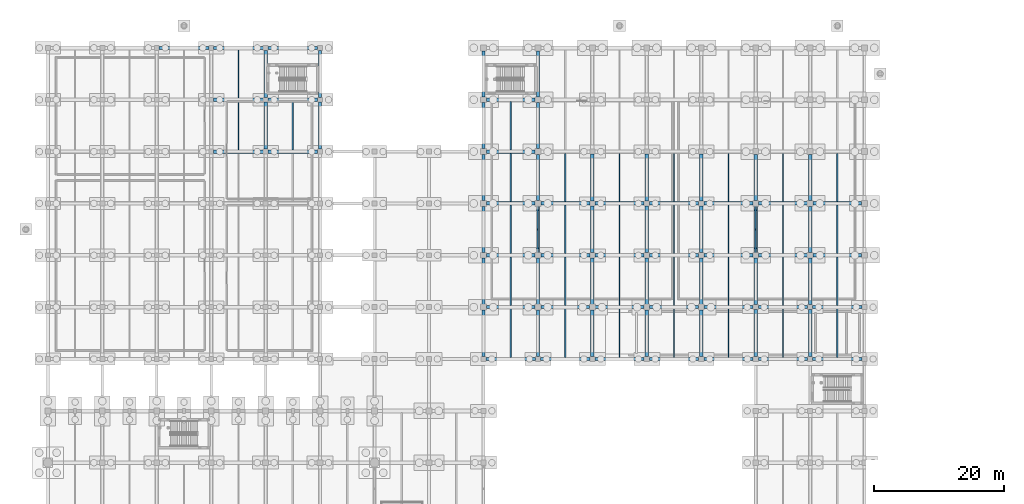
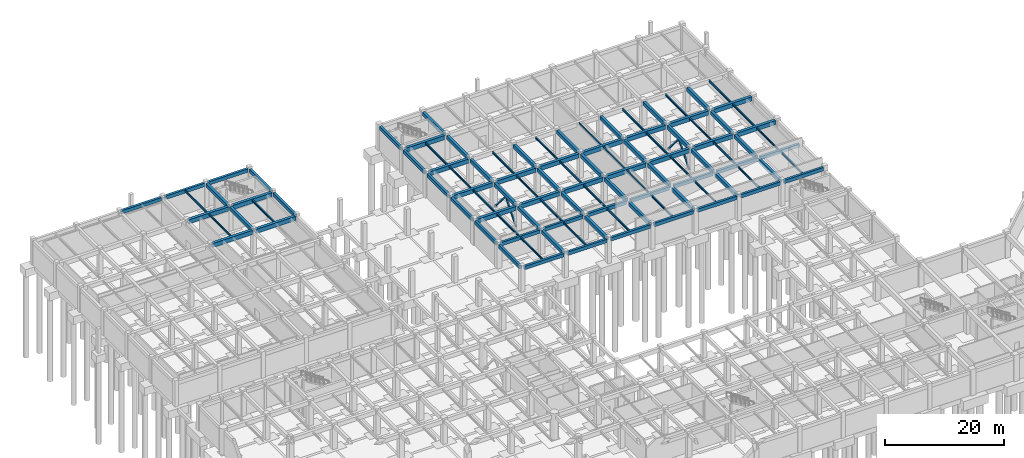
# One storey, part 33 of 56: 105 beams, 4 members.
"""IFC4 building model written with IfcOpenShell, lengths in metres."""

from ifc_helpers import new_model, si_unit, direction, frame, origin, origin_2d, place, context, subcontext, project, spatial, rectangle, hollow_rectangle, i_section, extrude, material, material_profile, profile_set, type_object, element, save


model = new_model("IFC4")

# Units and contexts
model_context = context("Model", 3, precision=1e-05, world=origin(), true_north=direction((0.0, 1.0)))
body_context = subcontext(model_context, "Body", "Model", "MODEL_VIEW")
ifc_project = project(units=[si_unit("LENGTHUNIT", "METRE"), si_unit("AREAUNIT", "SQUARE_METRE"), si_unit("VOLUMEUNIT", "CUBIC_METRE"), si_unit("PLANEANGLEUNIT", "RADIAN"), si_unit("MASSUNIT", "GRAM", prefix="KILO")], contexts=[model_context])

# Site, building, storey
site_placement = place(None, origin())
site = spatial("IfcSite", under=ifc_project, at=site_placement, CompositionType="ELEMENT")
building_placement = place(site_placement, origin())
building = spatial("IfcBuilding", under=site, at=building_placement, Name="Naruveol Harbour Congress Hotel", CompositionType="ELEMENT")
storey_placement = place(building_placement, frame((0.0, 0.0, -5.39990234375)))
storey = spatial("IfcBuildingStorey", under=building, at=storey_placement, Name="B01", CompositionType="ELEMENT", Elevation=-5.39990234375)

# Beams
ifc_material_1 = material(Name="Concrete C40/50", Category="concrete")
ifc_material_profile_1 = material_profile(ifc_material_1, rectangle(XDim=0.5, YDim=0.75, at=origin_2d()), Name="RCB-500x750")
ifc_profile_set_1 = profile_set([ifc_material_profile_1], Name="Concrete C40/50")
beam_type_1 = type_object("IfcBeamType", Name="RC FLOOR GIRDER 500X750", PredefinedType="BEAM", material=ifc_profile_set_1)
for number, where, z_axis, x_axis, name in (
    (1, (33.60009765625, 96.37109375, 4.6748046875), (0.0, 1.0, 0.0), (-1.0, 0.0, 0.0), "Transverse girder L00 CB3"),
    (2, (33.60009765625, 104.37109375, 4.625), (0.0, 1.0, 0.0), (-1.0, 0.0, 0.0), "Transverse girder L00 CB3"),
):
    element("IfcBeam", number, at=place(storey_placement, frame(where, z_axis=z_axis, x_axis=x_axis)), inside=storey, type_object=beam_type_1, Name=name, PredefinedType="BEAM", context=body_context, shape_type="SweptSolid", body=[
        extrude(rectangle(XDim=0.5, YDim=0.75, at=origin_2d()), origin(), (0.0, 0.0, 1.0), 7.2578125),
    ])
beam_1_placement = place(storey_placement, frame((75.60009765625, 64.39599609375, 4.625), z_axis=(0.0, 1.0, 0.0), x_axis=(-1.0, 0.0, 0.0)))
element("IfcBeam", 3, at=beam_1_placement, inside=storey, type_object=beam_type_1, Name="Transverse girder L00 CB3", PredefinedType="BEAM", context=body_context, shape_type="SweptSolid", body=[
    extrude(rectangle(XDim=0.5, YDim=0.75, at=origin_2d()), origin(), (0.0, 0.0, 1.0), 7.157958984375),
])
for number, where, z_axis, x_axis, name in (
    (4, (75.60009765625, 72.446044921875, 4.6748046875), (0.0, 1.0, 0.0), (-1.0, 0.0, 0.0), "Transverse girder L00 CB3"),
    (5, (75.60009765625, 80.446044921875, 4.6748046875), (0.0, 1.0, 0.0), (-1.0, 0.0, 0.0), "Transverse girder L00 CB3"),
    (6, (75.60009765625, 88.446044921875, 4.6748046875), (0.0, 1.0, 0.0), (-1.0, 0.0, 0.0), "Transverse girder L00 CB3"),
    (7, (75.60009765625, 96.446044921875, 4.6748046875), (0.0, 1.0, 0.0), (-1.0, 0.0, 0.0), "Transverse girder L00 CB3"),
    (8, (75.60009765625, 104.446044921875, 4.625), (0.0, 1.0, 0.0), (-1.0, 0.0, 0.0), "Transverse girder L00 CB3"),
):
    element("IfcBeam", number, at=place(storey_placement, frame(where, z_axis=z_axis, x_axis=x_axis)), inside=storey, type_object=beam_type_1, Name=name, PredefinedType="BEAM", context=body_context, shape_type="SweptSolid", body=[
        extrude(rectangle(XDim=0.5, YDim=0.75, at=origin_2d()), origin(), (0.0, 0.0, 1.0), 7.10791015625),
    ])
for number, where, z_axis, x_axis, name in (
    (9, (84.0, 64.39599609375, 4.625), (0.0, 1.0, 0.0), (-1.0, 0.0, 0.0), "Transverse girder L00 CB3"),
    (10, (84.0, 72.446044921875, 4.6748046875), (0.0, 1.0, 0.0), (-1.0, 0.0, 0.0), "Transverse girder L00 CB3"),
):
    element("IfcBeam", number, at=place(storey_placement, frame(where, z_axis=z_axis, x_axis=x_axis)), inside=storey, type_object=beam_type_1, Name=name, PredefinedType="BEAM", context=body_context, shape_type="SweptSolid", body=[
        extrude(rectangle(XDim=0.5, YDim=0.75, at=origin_2d()), origin(), (0.0, 0.0, 1.0), 7.157958984375),
    ])
for number, where, z_axis, x_axis, name in (
    (11, (84.0, 80.39599609375, 4.6748046875), (0.0, 1.0, 0.0), (-1.0, 0.0, 0.0), "Transverse girder L00 CB3"),
    (12, (84.0, 88.39599609375, 4.6748046875), (0.0, 1.0, 0.0), (-1.0, 0.0, 0.0), "Transverse girder L00 CB3"),
):
    element("IfcBeam", number, at=place(storey_placement, frame(where, z_axis=z_axis, x_axis=x_axis)), inside=storey, type_object=beam_type_1, Name=name, PredefinedType="BEAM", context=body_context, shape_type="SweptSolid", body=[
        extrude(rectangle(XDim=0.5, YDim=0.75, at=origin_2d()), origin(), (0.0, 0.0, 1.0), 7.2080078125),
    ])
for number, where, z_axis, x_axis, name in (
    (13, (92.39990234375, 64.39599609375, 4.625), (0.0, 1.0, 0.0), (-1.0, 0.0, 0.0), "Transverse girder L00 CB3"),
    (14, (92.39990234375, 72.446044921875, 4.6748046875), (0.0, 1.0, 0.0), (-1.0, 0.0, 0.0), "Transverse girder L00 CB3"),
):
    element("IfcBeam", number, at=place(storey_placement, frame(where, z_axis=z_axis, x_axis=x_axis)), inside=storey, type_object=beam_type_1, Name=name, PredefinedType="BEAM", context=body_context, shape_type="SweptSolid", body=[
        extrude(rectangle(XDim=0.5, YDim=0.75, at=origin_2d()), origin(), (0.0, 0.0, 1.0), 7.157958984375),
    ])
for number, where, z_axis, x_axis, name in (
    (15, (92.39990234375, 80.39599609375, 4.6748046875), (0.0, 1.0, 0.0), (-1.0, 0.0, 0.0), "Transverse girder L00 CB3"),
    (16, (92.39990234375, 88.39599609375, 4.6748046875), (0.0, 1.0, 0.0), (-1.0, 0.0, 0.0), "Transverse girder L00 CB3"),
):
    element("IfcBeam", number, at=place(storey_placement, frame(where, z_axis=z_axis, x_axis=x_axis)), inside=storey, type_object=beam_type_1, Name=name, PredefinedType="BEAM", context=body_context, shape_type="SweptSolid", body=[
        extrude(rectangle(XDim=0.5, YDim=0.75, at=origin_2d()), origin(), (0.0, 0.0, 1.0), 7.2080078125),
    ])
for number, where, z_axis, x_axis, name in (
    (17, (100.800048828125, 64.39599609375, 4.625), (0.0, 1.0, 0.0), (-1.0, 0.0, 0.0), "Transverse girder L00 CB3"),
    (18, (100.800048828125, 72.446044921875, 4.6748046875), (0.0, 1.0, 0.0), (-1.0, 0.0, 0.0), "Transverse girder L00 CB3"),
):
    element("IfcBeam", number, at=place(storey_placement, frame(where, z_axis=z_axis, x_axis=x_axis)), inside=storey, type_object=beam_type_1, Name=name, PredefinedType="BEAM", context=body_context, shape_type="SweptSolid", body=[
        extrude(rectangle(XDim=0.5, YDim=0.75, at=origin_2d()), origin(), (0.0, 0.0, 1.0), 7.157958984375),
    ])
for number, where, z_axis, x_axis, name in (
    (19, (100.800048828125, 80.39599609375, 4.6748046875), (0.0, 1.0, 0.0), (-1.0, 0.0, 0.0), "Transverse girder L00 CB3"),
    (20, (100.800048828125, 88.39599609375, 4.6748046875), (0.0, 1.0, 0.0), (-1.0, 0.0, 0.0), "Transverse girder L00 CB3"),
    (21, (109.199951171875, 64.39599609375, 4.625), (0.0, 1.0, 0.0), (-1.0, 0.0, 0.0), "Transverse girder L00 CB3"),
):
    element("IfcBeam", number, at=place(storey_placement, frame(where, z_axis=z_axis, x_axis=x_axis)), inside=storey, type_object=beam_type_1, Name=name, PredefinedType="BEAM", context=body_context, shape_type="SweptSolid", body=[
        extrude(rectangle(XDim=0.5, YDim=0.75, at=origin_2d()), origin(), (0.0, 0.0, 1.0), 7.2080078125),
    ])
beam_2_placement = place(storey_placement, frame((109.199951171875, 72.39599609375, 4.6748046875), z_axis=(0.0, 1.0, 0.0), x_axis=(-1.0, 0.0, 0.0)))
element("IfcBeam", 22, at=beam_2_placement, inside=storey, type_object=beam_type_1, Name="Transverse girder L00 CB3", PredefinedType="BEAM", context=body_context, shape_type="SweptSolid", body=[
    extrude(rectangle(XDim=0.5, YDim=0.75, at=origin_2d()), origin(), (0.0, 0.0, 1.0), 7.157958984375),
])
for number, where, z_axis, x_axis, name in (
    (23, (109.199951171875, 80.446044921875, 4.6748046875), (0.0, 1.0, 0.0), (-1.0, 0.0, 0.0), "Transverse girder L00 CB3"),
    (24, (109.199951171875, 88.446044921875, 4.6748046875), (0.0, 1.0, 0.0), (-1.0, 0.0, 0.0), "Transverse girder L00 CB3"),
):
    element("IfcBeam", number, at=place(storey_placement, frame(where, z_axis=z_axis, x_axis=x_axis)), inside=storey, type_object=beam_type_1, Name=name, PredefinedType="BEAM", context=body_context, shape_type="SweptSolid", body=[
        extrude(rectangle(XDim=0.5, YDim=0.75, at=origin_2d()), origin(), (0.0, 0.0, 1.0), 7.10791015625),
    ])
beam_3_placement = place(storey_placement, frame((117.60009765625, 64.39599609375, 4.6748046875), z_axis=(0.0, 1.0, 0.0), x_axis=(-1.0, 0.0, 0.0)))
element("IfcBeam", 25, at=beam_3_placement, inside=storey, type_object=beam_type_1, Name="Transverse girder L00 CB3", PredefinedType="BEAM", context=body_context, shape_type="SweptSolid", body=[
    extrude(rectangle(XDim=0.5, YDim=0.75, at=origin_2d()), origin(), (0.0, 0.0, 1.0), 7.2080078125),
])
beam_4_placement = place(storey_placement, frame((117.60009765625, 72.39599609375, 4.6748046875), z_axis=(0.0, 1.0, 0.0), x_axis=(-1.0, 0.0, 0.0)))
element("IfcBeam", 26, at=beam_4_placement, inside=storey, type_object=beam_type_1, Name="Transverse girder L00 CB3", PredefinedType="BEAM", context=body_context, shape_type="SweptSolid", body=[
    extrude(rectangle(XDim=0.5, YDim=0.75, at=origin_2d()), origin(), (0.0, 0.0, 1.0), 7.157958984375),
])
for number, where, z_axis, x_axis, name in (
    (27, (117.60009765625, 80.446044921875, 4.6748046875), (0.0, 1.0, 0.0), (-1.0, 0.0, 0.0), "Transverse girder L00 CB3"),
    (28, (117.60009765625, 88.446044921875, 4.6748046875), (0.0, 1.0, 0.0), (-1.0, 0.0, 0.0), "Transverse girder L00 CB3"),
):
    element("IfcBeam", number, at=place(storey_placement, frame(where, z_axis=z_axis, x_axis=x_axis)), inside=storey, type_object=beam_type_1, Name=name, PredefinedType="BEAM", context=body_context, shape_type="SweptSolid", body=[
        extrude(rectangle(XDim=0.5, YDim=0.75, at=origin_2d()), origin(), (0.0, 0.0, 1.0), 7.10791015625),
    ])
ifc_material_2 = material(Name="Concrete C40/50", Category="concrete")
ifc_material_profile_2 = material_profile(ifc_material_2, rectangle(XDim=0.550048828125, YDim=0.85009765625, at=origin_2d()), Name="RCB-550x850")
ifc_profile_set_2 = profile_set([ifc_material_profile_2], Name="Concrete C40/50")
beam_type_2 = type_object("IfcBeamType", Name="RC PRIMARY GIRDER 550X850", PredefinedType="BEAM", material=ifc_profile_set_2)
beam_5_placement = place(storey_placement, frame((67.64599609375, 80.0, 4.574951171875), z_axis=(1.0, 0.0, 0.0), x_axis=(0.0, 1.0, 0.0)))
element("IfcBeam", 29, at=beam_5_placement, inside=storey, type_object=beam_type_2, Name="Floor girder L00 CB2", PredefinedType="BEAM", context=body_context, shape_type="SweptSolid", body=[
    extrude(rectangle(XDim=0.550048828125, YDim=0.85009765625, at=origin_2d()), origin(), (0.0, 0.0, 1.0), 7.508056640625),
])
beam_6_placement = place(storey_placement, frame((76.0458984375, 80.0, 4.625), z_axis=(1.0, 0.0, 0.0), x_axis=(0.0, 1.0, 0.0)))
element("IfcBeam", 30, at=beam_6_placement, inside=storey, type_object=beam_type_2, Name="Floor girder L00 CB2", PredefinedType="BEAM", context=body_context, shape_type="SweptSolid", body=[
    extrude(rectangle(XDim=0.550048828125, YDim=0.85009765625, at=origin_2d()), origin(), (0.0, 0.0, 1.0), 7.55810546875),
])
beam_7_placement = place(storey_placement, frame((84.39599609375, 80.0, 4.625), z_axis=(1.0, 0.0, 0.0), x_axis=(0.0, 1.0, 0.0)))
element("IfcBeam", 31, at=beam_7_placement, inside=storey, type_object=beam_type_2, Name="Floor girder L00 CB2", PredefinedType="BEAM", context=body_context, shape_type="SweptSolid", body=[
    extrude(rectangle(XDim=0.550048828125, YDim=0.85009765625, at=origin_2d()), origin(), (0.0, 0.0, 1.0), 7.60791015625),
])
beam_8_placement = place(storey_placement, frame((92.7958984375, 80.0, 4.625), z_axis=(1.0, 0.0, 0.0), x_axis=(0.0, 1.0, 0.0)))
element("IfcBeam", 32, at=beam_8_placement, inside=storey, type_object=beam_type_2, Name="Floor girder L00 CB2", PredefinedType="BEAM", context=body_context, shape_type="SweptSolid", body=[
    extrude(rectangle(XDim=0.550048828125, YDim=0.85009765625, at=origin_2d()), origin(), (0.0, 0.0, 1.0), 7.608154296875),
])
beam_9_placement = place(storey_placement, frame((101.196044921875, 80.0, 4.625), z_axis=(1.0, 0.0, 0.0), x_axis=(0.0, 1.0, 0.0)))
element("IfcBeam", 33, at=beam_9_placement, inside=storey, type_object=beam_type_2, Name="Floor girder L00 CB2", PredefinedType="BEAM", context=body_context, shape_type="SweptSolid", body=[
    extrude(rectangle(XDim=0.550048828125, YDim=0.85009765625, at=origin_2d()), origin(), (0.0, 0.0, 1.0), 7.557861328125),
])
for number, where, z_axis, x_axis, name in (
    (34, (109.64599609375, 80.0, 4.625), (1.0, 0.0, 0.0), (0.0, 1.0, 0.0), "Floor girder L00 CB2"),
    (35, (118.0458984375, 80.0, 4.574951171875), (1.0, 0.0, 0.0), (0.0, 1.0, 0.0), "Floor girder L00 CB2"),
    (36, (67.64599609375, 88.0, 4.574951171875), (1.0, 0.0, 0.0), (0.0, 1.0, 0.0), "Floor girder L00 CB2"),
):
    element("IfcBeam", number, at=place(storey_placement, frame(where, z_axis=z_axis, x_axis=x_axis)), inside=storey, type_object=beam_type_2, Name=name, PredefinedType="BEAM", context=body_context, shape_type="SweptSolid", body=[
        extrude(rectangle(XDim=0.550048828125, YDim=0.85009765625, at=origin_2d()), origin(), (0.0, 0.0, 1.0), 7.508056640625),
    ])
beam_10_placement = place(storey_placement, frame((76.0458984375, 88.0, 4.625), z_axis=(1.0, 0.0, 0.0), x_axis=(0.0, 1.0, 0.0)))
element("IfcBeam", 37, at=beam_10_placement, inside=storey, type_object=beam_type_2, Name="Floor girder L00 CB2", PredefinedType="BEAM", context=body_context, shape_type="SweptSolid", body=[
    extrude(rectangle(XDim=0.550048828125, YDim=0.85009765625, at=origin_2d()), origin(), (0.0, 0.0, 1.0), 7.55810546875),
])
beam_11_placement = place(storey_placement, frame((84.39599609375, 88.0, 4.625), z_axis=(1.0, 0.0, 0.0), x_axis=(0.0, 1.0, 0.0)))
element("IfcBeam", 38, at=beam_11_placement, inside=storey, type_object=beam_type_2, Name="Floor girder L00 CB2", PredefinedType="BEAM", context=body_context, shape_type="SweptSolid", body=[
    extrude(rectangle(XDim=0.550048828125, YDim=0.85009765625, at=origin_2d()), origin(), (0.0, 0.0, 1.0), 7.60791015625),
])
beam_12_placement = place(storey_placement, frame((92.7958984375, 88.0, 4.625), z_axis=(1.0, 0.0, 0.0), x_axis=(0.0, 1.0, 0.0)))
element("IfcBeam", 39, at=beam_12_placement, inside=storey, type_object=beam_type_2, Name="Floor girder L00 CB2", PredefinedType="BEAM", context=body_context, shape_type="SweptSolid", body=[
    extrude(rectangle(XDim=0.550048828125, YDim=0.85009765625, at=origin_2d()), origin(), (0.0, 0.0, 1.0), 7.608154296875),
])
beam_13_placement = place(storey_placement, frame((101.196044921875, 88.0, 4.625), z_axis=(1.0, 0.0, 0.0), x_axis=(0.0, 1.0, 0.0)))
element("IfcBeam", 40, at=beam_13_placement, inside=storey, type_object=beam_type_2, Name="Floor girder L00 CB2", PredefinedType="BEAM", context=body_context, shape_type="SweptSolid", body=[
    extrude(rectangle(XDim=0.550048828125, YDim=0.85009765625, at=origin_2d()), origin(), (0.0, 0.0, 1.0), 7.557861328125),
])
for number, where, z_axis, x_axis, name in (
    (41, (109.64599609375, 88.0, 4.625), (1.0, 0.0, 0.0), (0.0, 1.0, 0.0), "Floor girder L00 CB2"),
    (42, (118.0458984375, 88.0, 4.574951171875), (1.0, 0.0, 0.0), (0.0, 1.0, 0.0), "Floor girder L00 CB2"),
):
    element("IfcBeam", number, at=place(storey_placement, frame(where, z_axis=z_axis, x_axis=x_axis)), inside=storey, type_object=beam_type_2, Name=name, PredefinedType="BEAM", context=body_context, shape_type="SweptSolid", body=[
        extrude(rectangle(XDim=0.550048828125, YDim=0.85009765625, at=origin_2d()), origin(), (0.0, 0.0, 1.0), 7.508056640625),
    ])
for number, where, z_axis, x_axis, name in (
    (43, (25.571044921875, 96.0, 4.625), (1.0, 0.0, 0.0), (0.0, 1.0, 0.0), "Floor girder L00 CB2"),
    (44, (33.970947265625, 96.0, 4.574951171875), (1.0, 0.0, 0.0), (0.0, 1.0, 0.0), "Floor girder L00 CB2"),
):
    element("IfcBeam", number, at=place(storey_placement, frame(where, z_axis=z_axis, x_axis=x_axis)), inside=storey, type_object=beam_type_2, Name=name, PredefinedType="BEAM", context=body_context, shape_type="SweptSolid", body=[
        extrude(rectangle(XDim=0.550048828125, YDim=0.85009765625, at=origin_2d()), origin(), (0.0, 0.0, 1.0), 7.657958984375),
    ])
beam_14_placement = place(storey_placement, frame((67.64599609375, 96.0, 4.574951171875), z_axis=(1.0, 0.0, 0.0), x_axis=(0.0, 1.0, 0.0)))
element("IfcBeam", 45, at=beam_14_placement, inside=storey, type_object=beam_type_2, Name="Floor girder L00 CB2", PredefinedType="BEAM", context=body_context, shape_type="SweptSolid", body=[
    extrude(rectangle(XDim=0.550048828125, YDim=0.85009765625, at=origin_2d()), origin(), (0.0, 0.0, 1.0), 7.508056640625),
])
for number, where, z_axis, x_axis, name in (
    (46, (25.571044921875, 104.0, 4.625), (1.0, 0.0, 0.0), (0.0, 1.0, 0.0), "Floor girder L00 CB2"),
    (47, (33.970947265625, 104.0, 4.574951171875), (1.0, 0.0, 0.0), (0.0, 1.0, 0.0), "Floor girder L00 CB2"),
):
    element("IfcBeam", number, at=place(storey_placement, frame(where, z_axis=z_axis, x_axis=x_axis)), inside=storey, type_object=beam_type_2, Name=name, PredefinedType="BEAM", context=body_context, shape_type="SweptSolid", body=[
        extrude(rectangle(XDim=0.550048828125, YDim=0.85009765625, at=origin_2d()), origin(), (0.0, 0.0, 1.0), 7.657958984375),
    ])
beam_15_placement = place(storey_placement, frame((67.64599609375, 104.0, 4.574951171875), z_axis=(1.0, 0.0, 0.0), x_axis=(0.0, 1.0, 0.0)))
element("IfcBeam", 48, at=beam_15_placement, inside=storey, type_object=beam_type_2, Name="Floor girder L00 CB2", PredefinedType="BEAM", context=body_context, shape_type="SweptSolid", body=[
    extrude(rectangle(XDim=0.550048828125, YDim=0.85009765625, at=origin_2d()), origin(), (0.0, 0.0, 1.0), 7.508056640625),
])
ifc_material_3 = material(Name="Concrete C40/50", Category="concrete")
ifc_material_profile_3 = material_profile(ifc_material_3, rectangle(XDim=0.449951171875, YDim=0.699951171875, at=origin_2d()), Name="RCB-450x700")
ifc_profile_set_3 = profile_set([ifc_material_profile_3], Name="Concrete C40/50")
beam_type_3 = type_object("IfcBeamType", Name="RC SPANDREL BEAM 450X700", PredefinedType="SPANDREL", material=ifc_profile_set_3)
beam_16_placement = place(storey_placement, frame((67.595947265625, 64.0, 4.64990234375), z_axis=(1.0, 0.0, 0.0), x_axis=(0.0, 1.0, 0.0)))
element("IfcBeam", 49, at=beam_16_placement, inside=storey, type_object=beam_type_3, Name="Floor girder L00 SPB1", PredefinedType="SPANDREL", context=body_context, shape_type="SweptSolid", body=[
    extrude(rectangle(XDim=0.449951171875, YDim=0.699951171875, at=origin_2d()), origin(), (0.0, 0.0, 1.0), 7.608154296875),
])
for number, where, z_axis, x_axis, name in (
    (50, (75.99609375, 64.0, 4.64990234375), (1.0, 0.0, 0.0), (0.0, 1.0, 0.0), "Floor girder L00 SPB1"),
    (51, (84.39599609375, 64.0, 4.64990234375), (1.0, 0.0, 0.0), (0.0, 1.0, 0.0), "Floor girder L00 SPB1"),
):
    element("IfcBeam", number, at=place(storey_placement, frame(where, z_axis=z_axis, x_axis=x_axis)), inside=storey, type_object=beam_type_3, Name=name, PredefinedType="SPANDREL", context=body_context, shape_type="SweptSolid", body=[
        extrude(rectangle(XDim=0.449951171875, YDim=0.699951171875, at=origin_2d()), origin(), (0.0, 0.0, 1.0), 7.60791015625),
    ])
beam_17_placement = place(storey_placement, frame((92.7958984375, 64.0, 4.64990234375), z_axis=(1.0, 0.0, 0.0), x_axis=(0.0, 1.0, 0.0)))
element("IfcBeam", 52, at=beam_17_placement, inside=storey, type_object=beam_type_3, Name="Floor girder L00 SPB1", PredefinedType="SPANDREL", context=body_context, shape_type="SweptSolid", body=[
    extrude(rectangle(XDim=0.449951171875, YDim=0.699951171875, at=origin_2d()), origin(), (0.0, 0.0, 1.0), 7.608154296875),
])
beam_18_placement = place(storey_placement, frame((101.196044921875, 64.0, 4.64990234375), z_axis=(1.0, 0.0, 0.0), x_axis=(0.0, 1.0, 0.0)))
element("IfcBeam", 53, at=beam_18_placement, inside=storey, type_object=beam_type_3, Name="Floor girder L00 SPB1", PredefinedType="SPANDREL", context=body_context, shape_type="SweptSolid", body=[
    extrude(rectangle(XDim=0.449951171875, YDim=0.699951171875, at=origin_2d()), origin(), (0.0, 0.0, 1.0), 7.60791015625),
])
beam_19_placement = place(storey_placement, frame((109.595947265625, 64.0, 4.64990234375), z_axis=(1.0, 0.0, 0.0), x_axis=(0.0, 1.0, 0.0)))
element("IfcBeam", 54, at=beam_19_placement, inside=storey, type_object=beam_type_3, Name="Floor girder L00 SPB1", PredefinedType="SPANDREL", context=body_context, shape_type="SweptSolid", body=[
    extrude(rectangle(XDim=0.449951171875, YDim=0.699951171875, at=origin_2d()), origin(), (0.0, 0.0, 1.0), 7.608154296875),
])
beam_20_placement = place(storey_placement, frame((117.99609375, 64.0, 4.64990234375), z_axis=(1.0, 0.0, 0.0), x_axis=(0.0, 1.0, 0.0)))
element("IfcBeam", 55, at=beam_20_placement, inside=storey, type_object=beam_type_3, Name="Floor girder L00 SPB1", PredefinedType="SPANDREL", context=body_context, shape_type="SweptSolid", body=[
    extrude(rectangle(XDim=0.449951171875, YDim=0.699951171875, at=origin_2d()), origin(), (0.0, 0.0, 1.0), 7.60791015625),
])
for number, where, z_axis, x_axis, name in (
    (56, (67.64599609375, 72.0, 4.64990234375), (1.0, 0.0, 0.0), (0.0, 1.0, 0.0), "Floor girder L00 SPB1"),
    (57, (76.0458984375, 72.0, 4.699951171875), (1.0, 0.0, 0.0), (0.0, 1.0, 0.0), "Floor girder L00 SPB1"),
    (58, (84.446044921875, 72.0, 4.699951171875), (1.0, 0.0, 0.0), (0.0, 1.0, 0.0), "Floor girder L00 SPB1"),
    (59, (92.845947265625, 72.0, 4.699951171875), (1.0, 0.0, 0.0), (0.0, 1.0, 0.0), "Floor girder L00 SPB1"),
):
    element("IfcBeam", number, at=place(storey_placement, frame(where, z_axis=z_axis, x_axis=x_axis)), inside=storey, type_object=beam_type_3, Name=name, PredefinedType="SPANDREL", context=body_context, shape_type="SweptSolid", body=[
        extrude(rectangle(XDim=0.449951171875, YDim=0.699951171875, at=origin_2d()), origin(), (0.0, 0.0, 1.0), 7.508056640625),
    ])
beam_21_placement = place(storey_placement, frame((101.24609375, 72.0, 4.699951171875), z_axis=(1.0, 0.0, 0.0), x_axis=(0.0, 1.0, 0.0)))
element("IfcBeam", 60, at=beam_21_placement, inside=storey, type_object=beam_type_3, Name="Floor girder L00 SPB1", PredefinedType="SPANDREL", context=body_context, shape_type="SweptSolid", body=[
    extrude(rectangle(XDim=0.449951171875, YDim=0.699951171875, at=origin_2d()), origin(), (0.0, 0.0, 1.0), 7.557861328125),
])
beam_22_placement = place(storey_placement, frame((109.595947265625, 72.0, 4.699951171875), z_axis=(1.0, 0.0, 0.0), x_axis=(0.0, 1.0, 0.0)))
element("IfcBeam", 61, at=beam_22_placement, inside=storey, type_object=beam_type_3, Name="Floor girder L00 SPB1", PredefinedType="SPANDREL", context=body_context, shape_type="SweptSolid", body=[
    extrude(rectangle(XDim=0.449951171875, YDim=0.699951171875, at=origin_2d()), origin(), (0.0, 0.0, 1.0), 7.608154296875),
])
beam_23_placement = place(storey_placement, frame((117.99609375, 72.0, 4.64990234375), z_axis=(1.0, 0.0, 0.0), x_axis=(0.0, 1.0, 0.0)))
element("IfcBeam", 62, at=beam_23_placement, inside=storey, type_object=beam_type_3, Name="Floor girder L00 SPB1", PredefinedType="SPANDREL", context=body_context, shape_type="SweptSolid", body=[
    extrude(rectangle(XDim=0.449951171875, YDim=0.699951171875, at=origin_2d()), origin(), (0.0, 0.0, 1.0), 7.60791015625),
])
beam_24_placement = place(storey_placement, frame((17.1708984375, 112.0, 4.64990234375), z_axis=(1.0, 0.0, 0.0), x_axis=(0.0, 1.0, 0.0)))
element("IfcBeam", 63, at=beam_24_placement, inside=storey, type_object=beam_type_3, Name="Floor girder L00 SPB1", PredefinedType="SPANDREL", context=body_context, shape_type="SweptSolid", body=[
    extrude(rectangle(XDim=0.449951171875, YDim=0.699951171875, at=origin_2d()), origin(), (0.0, 0.0, 1.0), 7.658203125),
])
for number, where, z_axis, x_axis, name in (
    (64, (25.571044921875, 112.0, 4.64990234375), (1.0, 0.0, 0.0), (0.0, 1.0, 0.0), "Floor girder L00 SPB1"),
    (65, (33.970947265625, 112.0, 4.64990234375), (1.0, 0.0, 0.0), (0.0, 1.0, 0.0), "Floor girder L00 SPB1"),
):
    element("IfcBeam", number, at=place(storey_placement, frame(where, z_axis=z_axis, x_axis=x_axis)), inside=storey, type_object=beam_type_3, Name=name, PredefinedType="SPANDREL", context=body_context, shape_type="SweptSolid", body=[
        extrude(rectangle(XDim=0.449951171875, YDim=0.699951171875, at=origin_2d()), origin(), (0.0, 0.0, 1.0), 7.657958984375),
    ])
for number, where, z_axis, x_axis, name in (
    (66, (42.0, 96.37109375, 4.64990234375), (0.0, 1.0, 0.0), (-1.0, 0.0, 0.0), "Transverse girder L00 SPB1"),
    (67, (42.0, 104.37109375, 4.64990234375), (0.0, 1.0, 0.0), (-1.0, 0.0, 0.0), "Transverse girder L00 SPB1"),
):
    element("IfcBeam", number, at=place(storey_placement, frame(where, z_axis=z_axis, x_axis=x_axis)), inside=storey, type_object=beam_type_3, Name=name, PredefinedType="SPANDREL", context=body_context, shape_type="SweptSolid", body=[
        extrude(rectangle(XDim=0.449951171875, YDim=0.699951171875, at=origin_2d()), origin(), (0.0, 0.0, 1.0), 7.2578125),
    ])
beam_25_placement = place(storey_placement, frame((67.199951171875, 64.39599609375, 4.64990234375), z_axis=(0.0, 1.0, 0.0), x_axis=(-1.0, 0.0, 0.0)))
element("IfcBeam", 68, at=beam_25_placement, inside=storey, type_object=beam_type_3, Name="Transverse girder L00 SPB1", PredefinedType="SPANDREL", context=body_context, shape_type="SweptSolid", body=[
    extrude(rectangle(XDim=0.449951171875, YDim=0.699951171875, at=origin_2d()), origin(), (0.0, 0.0, 1.0), 7.157958984375),
])
for number, where, z_axis, x_axis, name in (
    (69, (67.199951171875, 72.446044921875, 4.64990234375), (0.0, 1.0, 0.0), (-1.0, 0.0, 0.0), "Transverse girder L00 SPB1"),
    (70, (67.199951171875, 80.446044921875, 4.64990234375), (0.0, 1.0, 0.0), (-1.0, 0.0, 0.0), "Transverse girder L00 SPB1"),
    (71, (67.199951171875, 88.446044921875, 4.64990234375), (0.0, 1.0, 0.0), (-1.0, 0.0, 0.0), "Transverse girder L00 SPB1"),
    (72, (67.199951171875, 96.446044921875, 4.64990234375), (0.0, 1.0, 0.0), (-1.0, 0.0, 0.0), "Transverse girder L00 SPB1"),
    (73, (67.199951171875, 104.446044921875, 4.64990234375), (0.0, 1.0, 0.0), (-1.0, 0.0, 0.0), "Transverse girder L00 SPB1"),
):
    element("IfcBeam", number, at=place(storey_placement, frame(where, z_axis=z_axis, x_axis=x_axis)), inside=storey, type_object=beam_type_3, Name=name, PredefinedType="SPANDREL", context=body_context, shape_type="SweptSolid", body=[
        extrude(rectangle(XDim=0.449951171875, YDim=0.699951171875, at=origin_2d()), origin(), (0.0, 0.0, 1.0), 7.10791015625),
    ])

# Members
ifc_material_4 = material(Name="Steel SN490", Category="steel")
ifc_material_profile_4 = material_profile(ifc_material_4, hollow_rectangle(XDim=0.25, YDim=0.25, WallThickness=0.011962890625, at=origin_2d()), Name="SHS-250x250x12")
ifc_profile_set_4 = profile_set([ifc_material_profile_4], Name="Steel SN490")
member_type = type_object("IfcMemberType", Name="STEEL LATERAL FRAME BRACE SHS250", PredefinedType="BRACE", material=ifc_profile_set_4)
for number, where, z_axis, x_axis, name in (
    (74, (75.60009765625, 80.43994140625, 0.159912109375), (0.0, 0.652013051017, 0.75820774284), (-1.0, 0.0, 0.0), "Lateral chevron brace B01 #3A"),
    (75, (75.60009765625, 87.56005859375, 0.159912109375), (0.0, -0.652013051017, 0.75820774284), (1.0, 0.0, 0.0), "Lateral chevron brace B01 #3B"),
    (76, (109.199951171875, 80.43994140625, 0.159912109375), (0.0, 0.652013051017, 0.75820774284), (-1.0, 0.0, 0.0), "Lateral chevron brace B01 #4A"),
    (77, (109.199951171875, 87.56005859375, 0.159912109375), (0.0, -0.652013051017, 0.75820774284), (1.0, 0.0, 0.0), "Lateral chevron brace B01 #4B"),
):
    element("IfcMember", number, at=place(storey_placement, frame(where, z_axis=z_axis, x_axis=x_axis)), inside=storey, type_object=member_type, Name=name, PredefinedType="BRACE", context=body_context, shape_type="SweptSolid", body=[
        extrude(hollow_rectangle(XDim=0.25, YDim=0.25, WallThickness=0.011962890625, at=origin_2d()), origin(), (0.0, 0.0, 1.0), 5.460205078125),
    ])

# Beams
ifc_material_5 = material(Name="Steel SN490", Category="steel")
ifc_material_profile_5 = material_profile(ifc_material_5, i_section(OverallWidth=0.199951171875, OverallDepth=0.39990234375, WebThickness=0.008056640625, FlangeThickness=0.012939453125, at=origin_2d()), Name="H-400x200x8x13")
ifc_profile_set_5 = profile_set([ifc_material_profile_5], Name="Steel SN490")
beam_type_4 = type_object("IfcBeamType", Name="STEEL SECONDARY JOIST H400", PredefinedType="JOIST", material=ifc_profile_set_5)
for number, where, z_axis, x_axis, name in (
    (78, (71.39990234375, 64.220947265625, 4.7998046875), (0.0, 1.0, 0.0), (-1.0, 0.0, 0.0), "Secondary floor joist L00 SJ1"),
    (79, (79.800048828125, 64.220947265625, 4.7998046875), (0.0, 1.0, 0.0), (-1.0, 0.0, 0.0), "Secondary floor joist L00 SJ1"),
    (80, (88.199951171875, 64.220947265625, 4.7998046875), (0.0, 1.0, 0.0), (-1.0, 0.0, 0.0), "Secondary floor joist L00 SJ1"),
    (81, (96.60009765625, 64.220947265625, 4.7998046875), (0.0, 1.0, 0.0), (-1.0, 0.0, 0.0), "Secondary floor joist L00 SJ1"),
    (82, (105.0, 64.220947265625, 4.7998046875), (0.0, 1.0, 0.0), (-1.0, 0.0, 0.0), "Secondary floor joist L00 SJ1"),
    (83, (113.39990234375, 64.220947265625, 4.7998046875), (0.0, 1.0, 0.0), (-1.0, 0.0, 0.0), "Secondary floor joist L00 SJ1"),
    (84, (121.800048828125, 64.220947265625, 4.7998046875), (0.0, 1.0, 0.0), (-1.0, 0.0, 0.0), "Secondary floor joist L00 SJ1"),
):
    element("IfcBeam", number, at=place(storey_placement, frame(where, z_axis=z_axis, x_axis=x_axis)), inside=storey, type_object=beam_type_4, Name=name, PredefinedType="JOIST", context=body_context, shape_type="SweptSolid", body=[
        extrude(i_section(OverallWidth=0.199951171875, OverallDepth=0.39990234375, WebThickness=0.008056640625, FlangeThickness=0.012939453125, at=origin_2d()), origin(), (0.0, 0.0, 1.0), 7.55810546875),
    ])
for number, where, z_axis, x_axis, name in (
    (85, (71.39990234375, 72.220947265625, 4.7998046875), (0.0, 1.0, 0.0), (-1.0, 0.0, 0.0), "Secondary floor joist L00 SJ1"),
    (86, (79.800048828125, 72.220947265625, 4.849853515625), (0.0, 1.0, 0.0), (-1.0, 0.0, 0.0), "Secondary floor joist L00 SJ1"),
    (87, (88.199951171875, 72.220947265625, 4.849853515625), (0.0, 1.0, 0.0), (-1.0, 0.0, 0.0), "Secondary floor joist L00 SJ1"),
    (88, (96.60009765625, 72.220947265625, 4.849853515625), (0.0, 1.0, 0.0), (-1.0, 0.0, 0.0), "Secondary floor joist L00 SJ1"),
    (89, (105.0, 72.220947265625, 4.849853515625), (0.0, 1.0, 0.0), (-1.0, 0.0, 0.0), "Secondary floor joist L00 SJ1"),
    (90, (113.39990234375, 72.220947265625, 4.849853515625), (0.0, 1.0, 0.0), (-1.0, 0.0, 0.0), "Secondary floor joist L00 SJ1"),
    (91, (121.800048828125, 72.220947265625, 4.7998046875), (0.0, 1.0, 0.0), (-1.0, 0.0, 0.0), "Secondary floor joist L00 SJ1"),
):
    element("IfcBeam", number, at=place(storey_placement, frame(where, z_axis=z_axis, x_axis=x_axis)), inside=storey, type_object=beam_type_4, Name=name, PredefinedType="JOIST", context=body_context, shape_type="SweptSolid", body=[
        extrude(i_section(OverallWidth=0.199951171875, OverallDepth=0.39990234375, WebThickness=0.008056640625, FlangeThickness=0.012939453125, at=origin_2d()), origin(), (0.0, 0.0, 1.0), 7.508056640625),
    ])
for number, where, z_axis, x_axis, name in (
    (92, (71.39990234375, 80.27099609375, 4.7998046875), (0.0, 1.0, 0.0), (-1.0, 0.0, 0.0), "Secondary floor joist L00 SJ1"),
    (93, (79.800048828125, 80.27099609375, 4.849853515625), (0.0, 1.0, 0.0), (-1.0, 0.0, 0.0), "Secondary floor joist L00 SJ1"),
    (94, (88.199951171875, 80.27099609375, 4.849853515625), (0.0, 1.0, 0.0), (-1.0, 0.0, 0.0), "Secondary floor joist L00 SJ1"),
    (95, (96.60009765625, 80.27099609375, 4.849853515625), (0.0, 1.0, 0.0), (-1.0, 0.0, 0.0), "Secondary floor joist L00 SJ1"),
    (96, (105.0, 80.27099609375, 4.849853515625), (0.0, 1.0, 0.0), (-1.0, 0.0, 0.0), "Secondary floor joist L00 SJ1"),
    (97, (113.39990234375, 80.27099609375, 4.849853515625), (0.0, 1.0, 0.0), (-1.0, 0.0, 0.0), "Secondary floor joist L00 SJ1"),
    (98, (121.800048828125, 80.27099609375, 4.7998046875), (0.0, 1.0, 0.0), (-1.0, 0.0, 0.0), "Secondary floor joist L00 SJ1"),
    (99, (71.39990234375, 88.27099609375, 4.7998046875), (0.0, 1.0, 0.0), (-1.0, 0.0, 0.0), "Secondary floor joist L00 SJ1"),
    (100, (79.800048828125, 88.27099609375, 4.849853515625), (0.0, 1.0, 0.0), (-1.0, 0.0, 0.0), "Secondary floor joist L00 SJ1"),
    (101, (88.199951171875, 88.27099609375, 4.849853515625), (0.0, 1.0, 0.0), (-1.0, 0.0, 0.0), "Secondary floor joist L00 SJ1"),
    (102, (96.60009765625, 88.27099609375, 4.849853515625), (0.0, 1.0, 0.0), (-1.0, 0.0, 0.0), "Secondary floor joist L00 SJ1"),
    (103, (105.0, 88.27099609375, 4.849853515625), (0.0, 1.0, 0.0), (-1.0, 0.0, 0.0), "Secondary floor joist L00 SJ1"),
    (104, (113.39990234375, 88.27099609375, 4.849853515625), (0.0, 1.0, 0.0), (-1.0, 0.0, 0.0), "Secondary floor joist L00 SJ1"),
    (105, (121.800048828125, 88.27099609375, 4.7998046875), (0.0, 1.0, 0.0), (-1.0, 0.0, 0.0), "Secondary floor joist L00 SJ1"),
    (106, (29.39990234375, 96.27099609375, 4.849853515625), (0.0, 1.0, 0.0), (-1.0, 0.0, 0.0), "Secondary floor joist L00 SJ1"),
    (107, (37.800048828125, 96.27099609375, 4.7998046875), (0.0, 1.0, 0.0), (-1.0, 0.0, 0.0), "Secondary floor joist L00 SJ1"),
    (108, (71.39990234375, 96.27099609375, 4.7998046875), (0.0, 1.0, 0.0), (-1.0, 0.0, 0.0), "Secondary floor joist L00 SJ1"),
):
    element("IfcBeam", number, at=place(storey_placement, frame(where, z_axis=z_axis, x_axis=x_axis)), inside=storey, type_object=beam_type_4, Name=name, PredefinedType="JOIST", context=body_context, shape_type="SweptSolid", body=[
        extrude(i_section(OverallWidth=0.199951171875, OverallDepth=0.39990234375, WebThickness=0.008056640625, FlangeThickness=0.012939453125, at=origin_2d()), origin(), (0.0, 0.0, 1.0), 7.4580078125),
    ])
beam_26_placement = place(storey_placement, frame((29.39990234375, 104.27099609375, 4.7998046875), z_axis=(0.0, 1.0, 0.0), x_axis=(-1.0, 0.0, 0.0)))
element("IfcBeam", 109, at=beam_26_placement, inside=storey, type_object=beam_type_4, Name="Secondary floor joist L00 SJ1", PredefinedType="JOIST", context=body_context, shape_type="SweptSolid", body=[
    extrude(i_section(OverallWidth=0.199951171875, OverallDepth=0.39990234375, WebThickness=0.008056640625, FlangeThickness=0.012939453125, at=origin_2d()), origin(), (0.0, 0.0, 1.0), 7.508056640625),
])

save(model, "model.ifc")
